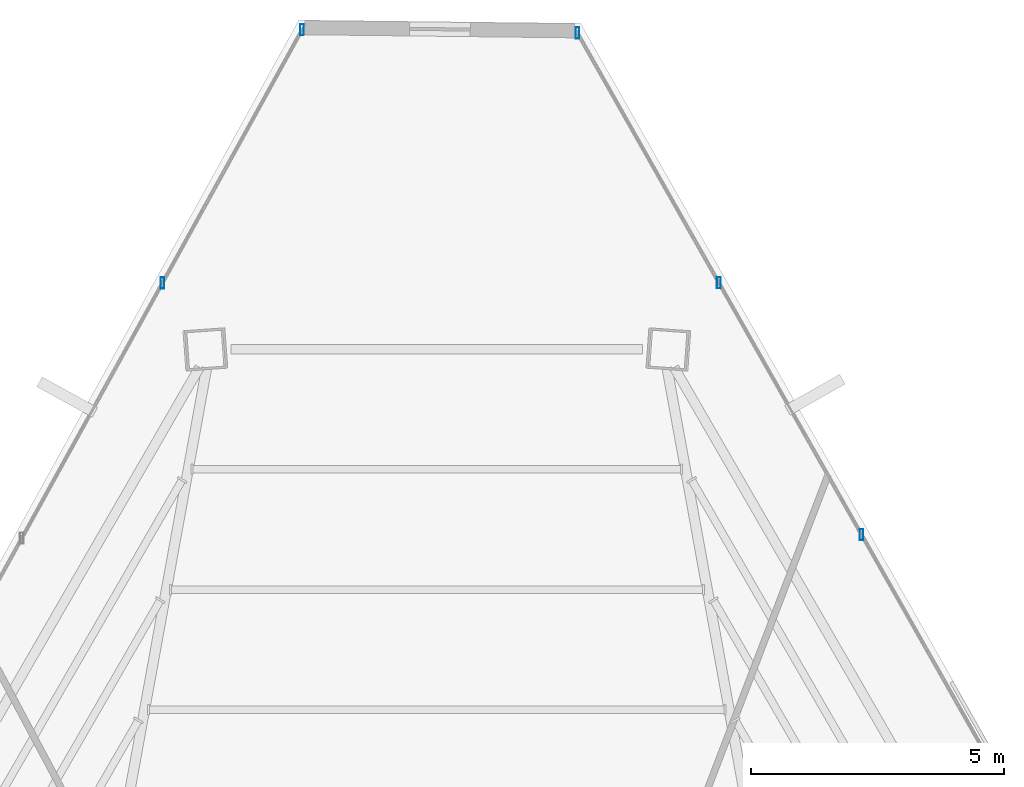
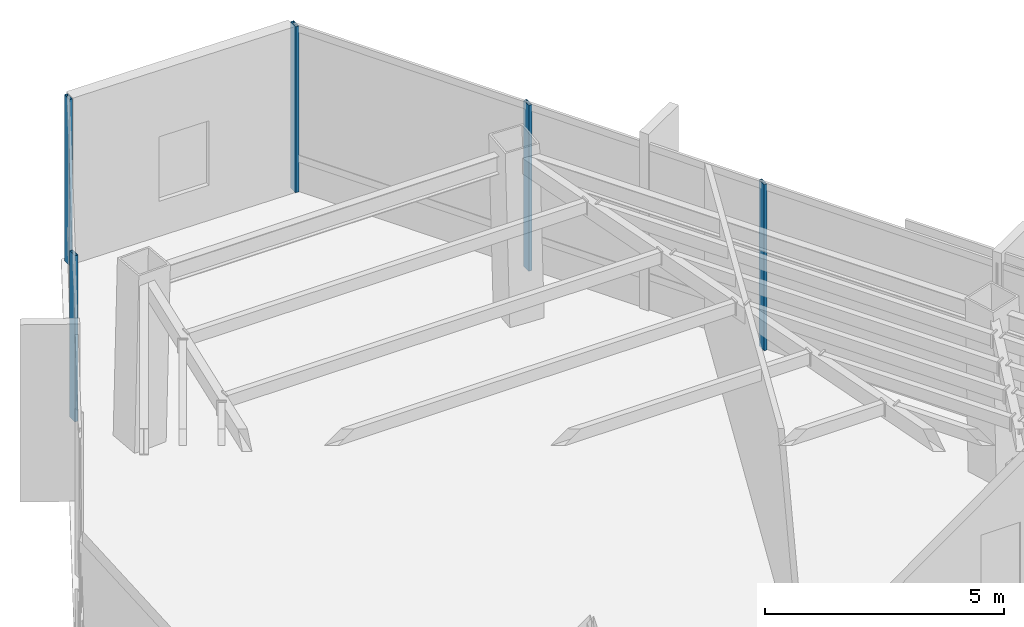
# One storey, part 27 of 37: 5 members, 2 elements without a shape of their own.
"""IFC4 building model written with IfcOpenShell, lengths in metres."""

from ifc_helpers import new_model, si_unit, direction, frame, origin, origin_2d, place, context, subcontext, project, spatial, hollow_rectangle, extrude, source, transform, mapped, material, material_profile, profile_set, type_object, type_shapes, element, aggregate, save


model = new_model("IFC4")

# Units and contexts
model_context = context("Model", 3, precision=1e-05, world=origin(), true_north=direction((0.0, 1.0)))
body_context = subcontext(model_context, "Body", "Model", "MODEL_VIEW")
ifc_project = project(units=[si_unit("LENGTHUNIT", "METRE"), si_unit("AREAUNIT", "SQUARE_METRE"), si_unit("VOLUMEUNIT", "CUBIC_METRE"), si_unit("PLANEANGLEUNIT", "RADIAN"), si_unit("MASSUNIT", "GRAM", prefix="KILO")], contexts=[model_context])

# Site, building, storey
site_placement = place(None, origin())
site = spatial("IfcSite", under=ifc_project, at=site_placement, CompositionType="ELEMENT")
building_placement = place(site_placement, origin())
building = spatial("IfcBuilding", under=site, at=building_placement, Name="Caelisora Broadcast Tower", CompositionType="ELEMENT")
storey_placement = place(building_placement, frame((0.0, 0.0, 225.35009765625)))
storey = spatial("IfcBuildingStorey", under=building, at=storey_placement, Name="L59", CompositionType="ELEMENT", Elevation=225.35009765625)

# Curtain wall, members
ifc_material_1 = material(Name="Unitised Aluminium and Low-E Glass Curtain Wall", Category="glass")
curtain_wall_type = type_object("IfcCurtainWallType", Name="CW-SKY", PredefinedType="NOTDEFINED", material=ifc_material_1)
curtain_wall_1_placement = place(storey_placement, origin())
curtain_wall_1 = element("IfcCurtainWall", 1, at=curtain_wall_1_placement, inside=storey, type_object=curtain_wall_type, Name="L59 curtain wall CW-SKY", PredefinedType="NOTDEFINED")
ifc_material_2 = material(Name="Aluminium 6063-T6 Anodised Terracotta Bronze", Category="aluminium")
ifc_material_profile = material_profile(ifc_material_2, hollow_rectangle(XDim=0.074951171875, YDim=0.219970703125, WallThickness=0.00390625, at=origin_2d()), Name="Aluminium 6063-T6 Anodised Terracotta Bronze")
ifc_profile_set = profile_set([ifc_material_profile], Name="Aluminium 6063-T6 Anodised Terracotta Bronze")
member_type = type_object("IfcMemberType", Name="CWM-01", PredefinedType="MULLION", material=ifc_profile_set)
shared_shape = source(origin(), body_context, "Body", "SweptSolid", [
    extrude(hollow_rectangle(XDim=0.074951171875, YDim=0.219970703125, WallThickness=0.00390625, at=origin_2d()), origin(), (0.0, 0.0, 1.0), 4.25),
])
type_shapes(member_type, [shared_shape])
member_1_placement = place(storey_placement, frame((40.776611328125, 52.87353515625, 0.0), z_axis=(0.0, 0.0, 1.0), x_axis=(1.0, 0.0, 0.0)))
member_1 = element("IfcMember", 2, at=member_1_placement, type_object=member_type, Name="L59-CW-B01 mullion #0", PredefinedType="MULLION", context=body_context, shape_type="MappedRepresentation", body=[
    mapped(shared_shape, transform((0.0, 0.0, 0.0), scale=1.0)),
])
member_2_placement = place(storey_placement, frame((43.57080078125, 47.940185546875, 0.0), z_axis=(0.0, 0.0, 1.0), x_axis=(1.0, 0.0, 0.0)))
member_2 = element("IfcMember", 3, at=member_2_placement, type_object=member_type, Name="L59-CW-B01 mullion #1", PredefinedType="MULLION", context=body_context, shape_type="MappedRepresentation", body=[
    mapped(shared_shape, transform((0.0, 0.0, 0.0), scale=1.0)),
])
member_3_placement = place(storey_placement, frame((46.389892578125, 42.963623046875, 0.0), z_axis=(0.0, 0.0, 1.0), x_axis=(1.0, 0.0, 0.0)))
member_3 = element("IfcMember", 4, at=member_3_placement, type_object=member_type, Name="L59-CW-B01 mullion #2", PredefinedType="MULLION", context=body_context, shape_type="MappedRepresentation", body=[
    mapped(shared_shape, transform((0.0, 0.0, 0.0), scale=1.0)),
])
aggregate(curtain_wall_1, [member_1, member_2, member_3])

curtain_wall_2_placement = place(storey_placement, origin())
curtain_wall_2 = element("IfcCurtainWall", 5, at=curtain_wall_2_placement, inside=storey, type_object=curtain_wall_type, Name="L59 curtain wall CW-SKY", PredefinedType="NOTDEFINED")
member_4_placement = place(storey_placement, frame((32.5791015625, 47.933837890625, 0.0), z_axis=(0.0, 0.0, 1.0), x_axis=(1.0, 0.0, 0.0)))
member_4 = element("IfcMember", 6, at=member_4_placement, type_object=member_type, Name="L59-CW-B11 mullion #2", PredefinedType="MULLION", context=body_context, shape_type="MappedRepresentation", body=[
    mapped(shared_shape, transform((0.0, 0.0, 0.0), scale=1.0)),
])
member_5_placement = place(storey_placement, frame((35.3359375, 52.935302734375, 0.0), z_axis=(0.0, 0.0, 1.0), x_axis=(1.0, 0.0, 0.0)))
member_5 = element("IfcMember", 7, at=member_5_placement, type_object=member_type, Name="L59-CW-B11 mullion #3", PredefinedType="MULLION", context=body_context, shape_type="MappedRepresentation", body=[
    mapped(shared_shape, transform((0.0, 0.0, 0.0), scale=1.0)),
])
aggregate(curtain_wall_2, [member_4, member_5])

save(model, "model.ifc")
